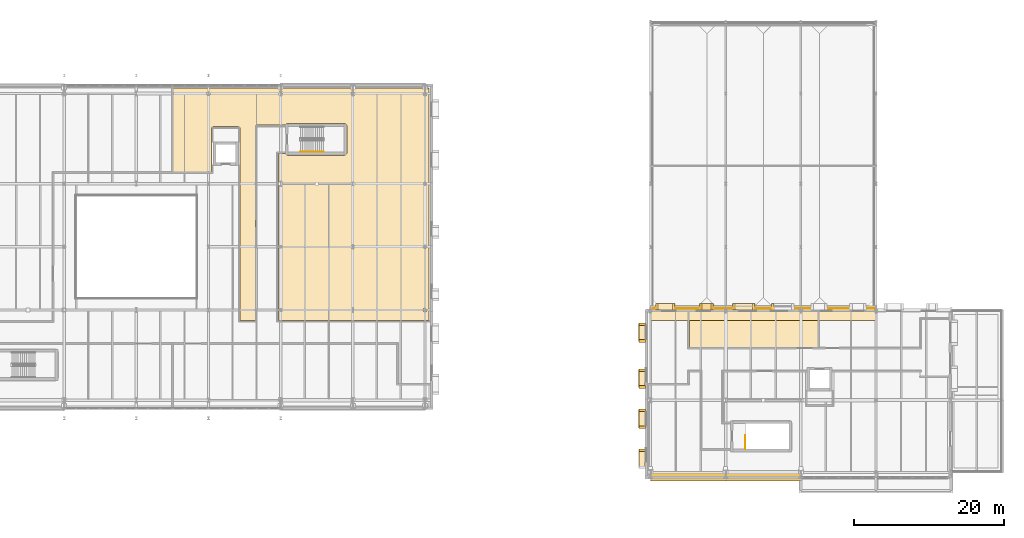
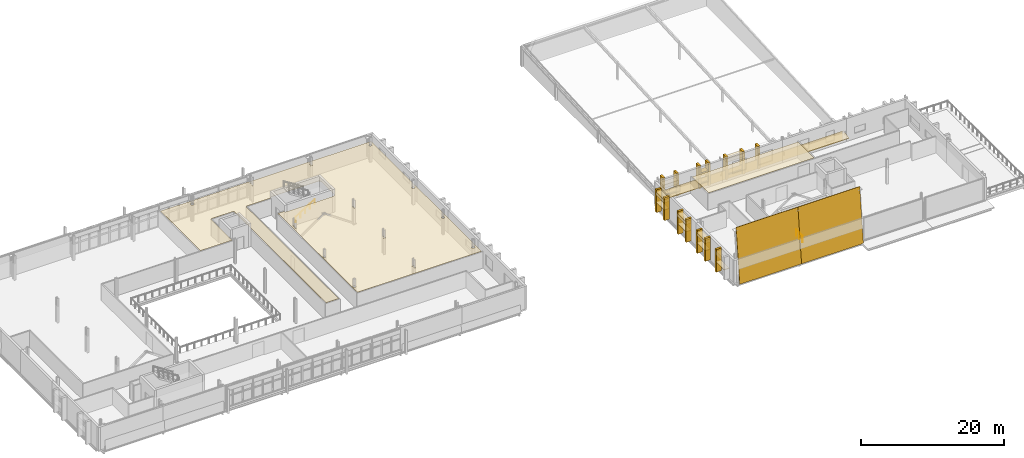
# One storey, part 54 of 57: 33 coverings, 3 railings.
"""IFC4 building model written with IfcOpenShell, lengths in metres."""

from ifc_helpers import new_model, si_unit, direction, frame, origin, origin_2d, place, context, subcontext, project, spatial, polyline, rectangle, circle, outline, extrude, material, layer, layer_set, type_object, element, save


model = new_model("IFC4")

# Units and contexts
model_context = context("Model", 3, precision=1e-05, world=origin(), true_north=direction((0.0, 1.0)))
body_context = subcontext(model_context, "Body", "Model", "MODEL_VIEW")
ifc_project = project(units=[si_unit("LENGTHUNIT", "METRE"), si_unit("AREAUNIT", "SQUARE_METRE"), si_unit("VOLUMEUNIT", "CUBIC_METRE"), si_unit("PLANEANGLEUNIT", "RADIAN"), si_unit("MASSUNIT", "GRAM", prefix="KILO")], contexts=[model_context])

# Site, building, storey
site_placement = place(None, origin())
site = spatial("IfcSite", under=ifc_project, at=site_placement, CompositionType="ELEMENT")
building_placement = place(site_placement, origin())
building = spatial("IfcBuilding", under=site, at=building_placement, Name="Zereglee Splitstone Museum", CompositionType="ELEMENT")
storey_placement = place(building_placement, frame((0.0, 0.0, 17.10009765625)))
storey = spatial("IfcBuildingStorey", under=building, at=storey_placement, Name="L03", CompositionType="ELEMENT", Elevation=17.10009765625)

# Coverings
ifc_material_1 = material(Name="Perforated acoustic gypsum board ceiling", Category="masonry")
ifc_layer_1 = layer(ifc_material_1, 0.044921875)
ifc_layer_set_1 = layer_set([ifc_layer_1], Name="Perforated acoustic gypsum board ceiling")
covering_type_1 = type_object("IfcCoveringType", Name="CLG-02", PredefinedType="CEILING", material=ifc_layer_set_1)
covering_1_placement = place(storey_placement, frame((0.0, 0.0, 2.77490234375)))
element("IfcCovering", 1, at=covering_1_placement, inside=storey, type_object=covering_type_1, Name="Acoustic Ceiling L03-050", PredefinedType="CEILING", context=body_context, shape_type="SweptSolid", body=[
    extrude(outline(polyline([(122.799072265625, 46.179931640625), (122.783203125, 46.17919921875), (122.781494140625, 46.178955078125), (122.765869140625, 46.1767578125), (122.763916015625, 46.17626953125), (122.748779296875, 46.172607421875), (122.746826171875, 46.171875), (122.73193359375, 46.166748046875), (122.730224609375, 46.166015625), (122.716064453125, 46.1591796875), (122.71435546875, 46.158203125), (122.70068359375, 46.150146484375), (122.69921875, 46.149169921875), (122.6865234375, 46.1396484375), (122.68505859375, 46.138427734375), (122.67333984375, 46.1279296875), (122.672119140625, 46.126708984375), (122.66162109375, 46.114990234375), (122.660400390625, 46.11328125), (122.65087890625, 46.100830078125), (122.64990234375, 46.09912109375), (122.6416015625, 46.085693359375), (122.640869140625, 46.083984375), (122.634033203125, 46.06982421875), (122.63330078125, 46.068115234375), (122.628173828125, 46.05322265625), (122.62744140625, 46.05126953125), (122.623779296875, 46.0361328125), (122.623291015625, 46.0341796875), (122.62109375, 46.0185546875), (122.620849609375, 46.0166015625), (122.6201171875, 46.0009765625), (122.6201171875, 46.0), (122.6201171875, 20.179931640625), (120.580078125, 20.179931640625), (120.580078125, 45.800048828125), (120.580078125, 45.801025390625), (120.5791015625, 45.816650390625), (120.5791015625, 45.818603515625), (120.57666015625, 45.833984375), (120.576416015625, 45.836181640625), (120.572509765625, 45.851318359375), (120.572021484375, 45.853271484375), (120.566650390625, 45.867919921875), (120.56591796875, 45.869873046875), (120.55908203125, 45.884033203125), (120.558349609375, 45.8857421875), (120.55029296875, 45.899169921875), (120.549072265625, 45.90087890625), (120.539794921875, 45.913330078125), (120.53857421875, 45.914794921875), (120.528076171875, 45.926513671875), (120.526611328125, 45.927978515625), (120.514892578125, 45.9384765625), (120.513427734375, 45.939697265625), (120.500732421875, 45.94921875), (120.499267578125, 45.9501953125), (120.485595703125, 45.958251953125), (120.48388671875, 45.959228515625), (120.4697265625, 45.9658203125), (120.468017578125, 45.966796875), (120.453125, 45.971923828125), (120.451416015625, 45.972412109375), (120.43603515625, 45.976318359375), (120.43408203125, 45.976806640625), (120.418701171875, 45.97900390625), (120.416748046875, 45.979248046875), (120.40087890625, 45.97998046875), (120.39990234375, 45.97998046875), (117.0, 45.97998046875), (116.9990234375, 45.97998046875), (116.9833984375, 45.979248046875), (116.9814453125, 45.97900390625), (116.9658203125, 45.976806640625), (116.9638671875, 45.976318359375), (116.94873046875, 45.972412109375), (116.94677734375, 45.971923828125), (116.931884765625, 45.966796875), (116.93017578125, 45.9658203125), (116.916015625, 45.959228515625), (116.914306640625, 45.958251953125), (116.90087890625, 45.9501953125), (116.899169921875, 45.94921875), (116.88671875, 45.939697265625), (116.885009765625, 45.9384765625), (116.873291015625, 45.927978515625), (116.8720703125, 45.926513671875), (116.861572265625, 45.914794921875), (116.8603515625, 45.913330078125), (116.850830078125, 45.90087890625), (116.849853515625, 45.899169921875), (116.841796875, 45.8857421875), (116.8408203125, 45.884033203125), (116.833984375, 45.869873046875), (116.833251953125, 45.867919921875), (116.828125, 45.853271484375), (116.827392578125, 45.851318359375), (116.82373046875, 45.836181640625), (116.8232421875, 45.833984375), (116.821044921875, 45.818603515625), (116.82080078125, 45.816650390625), (116.820068359375, 45.801025390625), (116.820068359375, 45.800048828125), (116.820068359375, 39.97998046875), (111.699951171875, 39.97998046875), (111.699951171875, 51.139892578125), (145.739990234375, 51.139892578125), (145.739990234375, 20.179931640625), (125.679931640625, 20.179931640625), (125.679931640625, 42.419921875), (126.62109375, 42.419921875), (126.629638671875, 42.402099609375), (126.65087890625, 42.36669921875), (126.67529296875, 42.33349609375), (126.702880859375, 42.302978515625), (126.733642578125, 42.275390625), (126.7666015625, 42.250732421875), (126.802001953125, 42.2294921875), (126.83935546875, 42.2119140625), (126.878173828125, 42.197998046875), (126.918212890625, 42.18798828125), (126.958740234375, 42.181884765625), (127.0, 42.179931640625), (134.39990234375, 42.179931640625), (134.441162109375, 42.181884765625), (134.48193359375, 42.18798828125), (134.52197265625, 42.197998046875), (134.560791015625, 42.2119140625), (134.597900390625, 42.2294921875), (134.63330078125, 42.250732421875), (134.66650390625, 42.275390625), (134.697021484375, 42.302978515625), (134.724609375, 42.33349609375), (134.749267578125, 42.36669921875), (134.7705078125, 42.402099609375), (134.7880859375, 42.439208984375), (134.802001953125, 42.47802734375), (134.81201171875, 42.51806640625), (134.818115234375, 42.558837890625), (134.820068359375, 42.60009765625), (134.820068359375, 46.0), (134.818115234375, 46.041259765625), (134.81201171875, 46.081787109375), (134.802001953125, 46.121826171875), (134.7880859375, 46.16064453125), (134.7705078125, 46.197998046875), (134.749267578125, 46.2333984375), (134.724609375, 46.266357421875), (134.697021484375, 46.297119140625), (134.66650390625, 46.32470703125), (134.63330078125, 46.34912109375), (134.597900390625, 46.370361328125), (134.560791015625, 46.387939453125), (134.52197265625, 46.40185546875), (134.48193359375, 46.411865234375), (134.441162109375, 46.41796875), (134.39990234375, 46.419921875), (127.0, 46.419921875), (126.958740234375, 46.41796875), (126.918212890625, 46.411865234375), (126.878173828125, 46.40185546875), (126.83935546875, 46.387939453125), (126.802001953125, 46.370361328125), (126.7666015625, 46.34912109375), (126.733642578125, 46.32470703125), (126.702880859375, 46.297119140625), (126.67529296875, 46.266357421875), (126.65087890625, 46.2333984375), (126.629638671875, 46.197998046875), (126.62109375, 46.179931640625), (122.800048828125, 46.179931640625), (122.799072265625, 46.179931640625)]), holes=[polyline([(135.758056640625, 21.883056640625), (135.44189453125, 21.883056640625), (135.44189453125, 21.837890625), (135.58447265625, 21.837890625), (135.58447265625, 21.362060546875), (135.44189453125, 21.362060546875), (135.44189453125, 21.31689453125), (135.758056640625, 21.31689453125), (135.758056640625, 21.362060546875), (135.615478515625, 21.362060546875), (135.615478515625, 21.837890625), (135.758056640625, 21.837890625), (135.758056640625, 21.883056640625)]), polyline([(125.81689453125, 21.782958984375), (125.81689453125, 21.4169921875), (126.18310546875, 21.4169921875), (126.18310546875, 21.782958984375), (125.81689453125, 21.782958984375)]), polyline([(145.331298828125, 21.4033203125), (145.3671875, 21.432861328125), (145.396484375, 21.468505859375), (145.41845703125, 21.509521484375), (145.431884765625, 21.553955078125), (145.4365234375, 21.60009765625), (145.431884765625, 21.64599609375), (145.41845703125, 21.6904296875), (145.396484375, 21.7314453125), (145.3671875, 21.76708984375), (145.331298828125, 21.796630859375), (145.29052734375, 21.818603515625), (145.24609375, 21.83203125), (145.199951171875, 21.83642578125), (145.15380859375, 21.83203125), (145.109619140625, 21.818603515625), (145.068603515625, 21.796630859375), (145.03271484375, 21.76708984375), (145.00341796875, 21.7314453125), (144.9814453125, 21.6904296875), (144.968017578125, 21.64599609375), (144.96337890625, 21.60009765625), (144.968017578125, 21.553955078125), (144.9814453125, 21.509521484375), (145.00341796875, 21.468505859375), (145.03271484375, 21.432861328125), (145.068603515625, 21.4033203125), (145.109619140625, 21.381591796875), (145.15380859375, 21.367919921875), (145.199951171875, 21.363525390625), (145.24609375, 21.367919921875), (145.29052734375, 21.381591796875), (145.331298828125, 21.4033203125)]), polyline([(145.28076171875, 29.804931640625), (145.3173828125, 29.824462890625), (145.349365234375, 29.8505859375), (145.37548828125, 29.8828125), (145.39501953125, 29.919189453125), (145.406982421875, 29.958740234375), (145.4111328125, 30.0), (145.406982421875, 30.041259765625), (145.39501953125, 30.080810546875), (145.37548828125, 30.1171875), (145.349365234375, 30.1494140625), (145.3173828125, 30.175537109375), (145.28076171875, 30.195068359375), (145.2412109375, 30.20703125), (145.199951171875, 30.211181640625), (145.15869140625, 30.20703125), (145.119140625, 30.195068359375), (145.082763671875, 30.175537109375), (145.05078125, 30.1494140625), (145.0244140625, 30.1171875), (145.0048828125, 30.080810546875), (144.992919921875, 30.041259765625), (144.98876953125, 30.0), (144.992919921875, 29.958740234375), (145.0048828125, 29.919189453125), (145.0244140625, 29.8828125), (145.05078125, 29.8505859375), (145.082763671875, 29.824462890625), (145.119140625, 29.804931640625), (145.15869140625, 29.79296875), (145.199951171875, 29.788818359375), (145.2412109375, 29.79296875), (145.28076171875, 29.804931640625)]), polyline([(135.758056640625, 30.258056640625), (135.44189453125, 30.258056640625), (135.44189453125, 30.214111328125), (135.584716796875, 30.214111328125), (135.584716796875, 29.785888671875), (135.44189453125, 29.785888671875), (135.44189453125, 29.741943359375), (135.758056640625, 29.741943359375), (135.758056640625, 29.785888671875), (135.615234375, 29.785888671875), (135.615234375, 30.214111328125), (135.758056640625, 30.214111328125), (135.758056640625, 30.258056640625)]), polyline([(125.842041015625, 29.842041015625), (126.157958984375, 29.842041015625), (126.157958984375, 30.157958984375), (125.842041015625, 30.157958984375), (125.842041015625, 29.842041015625)]), polyline([(145.01708984375, 38.5830078125), (145.01708984375, 38.217041015625), (145.383056640625, 38.217041015625), (145.383056640625, 38.5830078125), (145.01708984375, 38.5830078125)]), polyline([(135.44189453125, 38.633056640625), (135.44189453125, 38.591064453125), (135.5849609375, 38.591064453125), (135.5849609375, 38.208984375), (135.44189453125, 38.208984375), (135.44189453125, 38.1669921875), (135.758056640625, 38.1669921875), (135.758056640625, 38.208984375), (135.614990234375, 38.208984375), (135.614990234375, 38.591064453125), (135.758056640625, 38.591064453125), (135.758056640625, 38.633056640625), (135.44189453125, 38.633056640625)]), polyline([(126.157958984375, 38.758056640625), (125.842041015625, 38.758056640625), (125.842041015625, 38.7099609375), (125.9833984375, 38.7099609375), (125.9833984375, 38.090087890625), (125.842041015625, 38.090087890625), (125.842041015625, 38.0419921875), (126.157958984375, 38.0419921875), (126.157958984375, 38.090087890625), (126.0166015625, 38.090087890625), (126.0166015625, 38.7099609375), (126.157958984375, 38.7099609375), (126.157958984375, 38.758056640625)]), polyline([(126.157958984375, 50.73291015625), (125.842041015625, 50.73291015625), (125.842041015625, 50.68603515625), (125.98388671875, 50.68603515625), (125.98388671875, 50.114013671875), (125.842041015625, 50.114013671875), (125.842041015625, 50.06689453125), (126.157958984375, 50.06689453125), (126.157958984375, 50.114013671875), (126.01611328125, 50.114013671875), (126.01611328125, 50.68603515625), (126.157958984375, 50.68603515625), (126.157958984375, 50.73291015625)]), polyline([(135.758056640625, 50.60791015625), (135.44189453125, 50.60791015625), (135.44189453125, 50.568115234375), (135.585205078125, 50.568115234375), (135.585205078125, 50.23193359375), (135.44189453125, 50.23193359375), (135.44189453125, 50.19189453125), (135.758056640625, 50.19189453125), (135.758056640625, 50.23193359375), (135.61474609375, 50.23193359375), (135.61474609375, 50.568115234375), (135.758056640625, 50.568115234375), (135.758056640625, 50.60791015625)]), polyline([(116.531494140625, 50.203369140625), (116.567138671875, 50.23291015625), (116.5966796875, 50.2685546875), (116.618408203125, 50.3095703125), (116.632080078125, 50.35400390625), (116.636474609375, 50.39990234375), (116.632080078125, 50.446044921875), (116.618408203125, 50.490478515625), (116.5966796875, 50.531494140625), (116.567138671875, 50.567138671875), (116.531494140625, 50.5966796875), (116.490478515625, 50.618408203125), (116.446044921875, 50.632080078125), (116.39990234375, 50.636474609375), (116.35400390625, 50.632080078125), (116.3095703125, 50.618408203125), (116.2685546875, 50.5966796875), (116.23291015625, 50.567138671875), (116.203369140625, 50.531494140625), (116.181396484375, 50.490478515625), (116.16796875, 50.446044921875), (116.16357421875, 50.39990234375), (116.16796875, 50.35400390625), (116.181396484375, 50.3095703125), (116.203369140625, 50.2685546875), (116.23291015625, 50.23291015625), (116.2685546875, 50.203369140625), (116.3095703125, 50.181396484375), (116.35400390625, 50.16796875), (116.39990234375, 50.16357421875), (116.446044921875, 50.16796875), (116.490478515625, 50.181396484375), (116.531494140625, 50.203369140625)]), polyline([(145.0419921875, 50.241943359375), (145.35791015625, 50.241943359375), (145.35791015625, 50.55810546875), (145.0419921875, 50.55810546875), (145.0419921875, 50.241943359375)])]), origin(), (0.0, 0.0, 1.0), 0.044921875),
])
ifc_material_2 = material(Name="Siberian larch acoustic timber ceiling", Category="wood")
ifc_layer_2 = layer(ifc_material_2, 0.06005859375)
ifc_layer_set_2 = layer_set([ifc_layer_2], Name="Siberian larch acoustic timber ceiling")
covering_type_2 = type_object("IfcCoveringType", Name="CLG-01", PredefinedType="CEILING", material=ifc_layer_set_2)
covering_2_placement = place(storey_placement, frame((0.0, 0.0, 2.760009765625)))
element("IfcCovering", 2, at=covering_2_placement, inside=storey, type_object=covering_type_2, Name="Acoustic Ceiling L03-052", PredefinedType="CEILING", context=body_context, shape_type="SweptSolid", body=[
    extrude(outline(polyline([(180.3798828125, 21.139892578125), (197.4599609375, 21.139892578125), (197.4599609375, 16.6298828125), (180.3798828125, 16.6298828125), (180.3798828125, 21.139892578125)])), origin(), (0.0, 0.0, 1.0), 0.059814453125),
])
ifc_material_3 = material(Name="Honed Gobi pale limestone stringcourse and soffit cladding", Category="masonry")
ifc_layer_3 = layer(ifc_material_3, 0.070068359375)
ifc_layer_set_3 = layer_set([ifc_layer_3], Name="Honed Gobi pale limestone stringcourse and soffit cladding")
covering_type_3 = type_object("IfcCoveringType", Name="CL-02", PredefinedType="CLADDING", material=ifc_layer_set_3)
for number, where, z_axis, x_axis, name in (
    (3, (191.445068359375, 22.02490234375, 0.0), (0.0, 0.0, 1.0), (-1.0, 0.0, 0.0), "Mughal Window Reveal Stone Pilaster L03-0111R"),
    (4, (188.955078125, 22.02490234375, 0.0), (0.0, 0.0, 1.0), (-1.0, 0.0, 0.0), "Mughal Window Reveal Stone Pilaster L03-0112L"),
    (5, (186.264892578125, 22.02490234375, 0.0), (0.0, 0.0, 1.0), (-1.0, 0.0, 0.0), "Mughal Window Reveal Stone Pilaster L03-0112R"),
):
    element("IfcCovering", number, at=place(storey_placement, frame(where, z_axis=z_axis, x_axis=x_axis)), inside=storey, type_object=covering_type_3, Name=name, PredefinedType="CLADDING", context=body_context, shape_type="SweptSolid", body=[
        extrude(rectangle(XDim=0.340087890625, YDim=0.860107421875, at=origin_2d()), origin(), (0.0, 0.0, 1.0), 3.89990234375),
    ])
covering_3_placement = place(storey_placement, frame((187.610107421875, 22.034912109375, 0.759765625), z_axis=(0.0, 0.0, 1.0), x_axis=(-1.0, 0.0, 0.0)))
element("IfcCovering", 6, at=covering_3_placement, inside=storey, type_object=covering_type_3, Name="Carved Limestone Window Sill L03-0112", PredefinedType="CLADDING", context=body_context, shape_type="SweptSolid", body=[
    extrude(rectangle(XDim=2.889892578125, YDim=0.840087890625, at=origin_2d()), origin(), (0.0, 0.0, 1.0), 0.1201171875),
])
for number, where, z_axis, x_axis, name in (
    (7, (183.389892578125, 22.02490234375, 0.0), (0.0, 0.0, 1.0), (-1.0, 0.0, 0.0), "Mughal Window Reveal Stone Pilaster L03-0113L"),
    (8, (181.89990234375, 22.02490234375, 0.0), (0.0, 0.0, 1.0), (-1.0, 0.0, 0.0), "Mughal Window Reveal Stone Pilaster L03-0113R"),
):
    element("IfcCovering", number, at=place(storey_placement, frame(where, z_axis=z_axis, x_axis=x_axis)), inside=storey, type_object=covering_type_3, Name=name, PredefinedType="CLADDING", context=body_context, shape_type="SweptSolid", body=[
        extrude(rectangle(XDim=0.340087890625, YDim=0.860107421875, at=origin_2d()), origin(), (0.0, 0.0, 1.0), 3.89990234375),
    ])
covering_4_placement = place(storey_placement, frame((182.64501953125, 22.034912109375, 0.759765625), z_axis=(0.0, 0.0, 1.0), x_axis=(-1.0, 0.0, 0.0)))
element("IfcCovering", 9, at=covering_4_placement, inside=storey, type_object=covering_type_3, Name="Carved Limestone Window Sill L03-0113", PredefinedType="CLADDING", context=body_context, shape_type="SweptSolid", body=[
    extrude(rectangle(XDim=1.68994140625, YDim=0.840087890625, at=origin_2d()), origin(), (0.0, 0.0, 1.0), 0.1201171875),
])
for number, where, z_axis, x_axis, name in (
    (10, (178.294921875, 22.02490234375, 0.0), (0.0, 0.0, 1.0), (-1.0, 0.0, 0.0), "Mughal Window Reveal Stone Pilaster L03-0114L"),
    (11, (176.054931640625, 22.02490234375, 0.0), (0.0, 0.0, 1.0), (-1.0, 0.0, 0.0), "Mughal Window Reveal Stone Pilaster L03-0114R"),
):
    element("IfcCovering", number, at=place(storey_placement, frame(where, z_axis=z_axis, x_axis=x_axis)), inside=storey, type_object=covering_type_3, Name=name, PredefinedType="CLADDING", context=body_context, shape_type="SweptSolid", body=[
        extrude(rectangle(XDim=0.340087890625, YDim=0.860107421875, at=origin_2d()), origin(), (0.0, 0.0, 1.0), 3.89990234375),
    ])
covering_5_placement = place(storey_placement, frame((177.175048828125, 22.034912109375, 0.759765625), z_axis=(0.0, 0.0, 1.0), x_axis=(-1.0, 0.0, 0.0)))
element("IfcCovering", 12, at=covering_5_placement, inside=storey, type_object=covering_type_3, Name="Carved Limestone Window Sill L03-0114", PredefinedType="CLADDING", context=body_context, shape_type="SweptSolid", body=[
    extrude(rectangle(XDim=2.43994140625, YDim=0.840087890625, at=origin_2d()), origin(), (0.0, 0.0, 1.0), 0.1201171875),
])
for number, where, z_axis, x_axis, name in (
    (13, (174.074951171875, 19.719970703125, 0.0), (0.0, 0.0, 1.0), (0.0, -1.0, 0.0), "Mughal Window Reveal Stone Pilaster L03-0115L"),
    (14, (174.074951171875, 17.47998046875, 0.0), (0.0, 0.0, 1.0), (0.0, -1.0, 0.0), "Mughal Window Reveal Stone Pilaster L03-0115R"),
):
    element("IfcCovering", number, at=place(storey_placement, frame(where, z_axis=z_axis, x_axis=x_axis)), inside=storey, type_object=covering_type_3, Name=name, PredefinedType="CLADDING", context=body_context, shape_type="SweptSolid", body=[
        extrude(rectangle(XDim=0.340087890625, YDim=0.860107421875, at=origin_2d()), origin(), (0.0, 0.0, 1.0), 3.89990234375),
    ])
covering_6_placement = place(storey_placement, frame((174.06494140625, 18.60009765625, 1.659912109375), z_axis=(0.0, 0.0, 1.0), x_axis=(0.0, -1.0, 0.0)))
element("IfcCovering", 15, at=covering_6_placement, inside=storey, type_object=covering_type_3, Name="Carved Limestone Window Sill L03-0115", PredefinedType="CLADDING", context=body_context, shape_type="SweptSolid", body=[
    extrude(rectangle(XDim=2.43994140625, YDim=0.840087890625, at=origin_2d()), origin(), (0.0, 0.0, 1.0), 0.1201171875),
])
for number, where, z_axis, x_axis, name in (
    (16, (174.074951171875, 13.60009765625, 0.0), (0.0, 0.0, 1.0), (0.0, -1.0, 0.0), "Mughal Window Reveal Stone Pilaster L03-0116L"),
    (17, (174.074951171875, 11.360107421875, 0.0), (0.0, 0.0, 1.0), (0.0, -1.0, 0.0), "Mughal Window Reveal Stone Pilaster L03-0116R"),
):
    element("IfcCovering", number, at=place(storey_placement, frame(where, z_axis=z_axis, x_axis=x_axis)), inside=storey, type_object=covering_type_3, Name=name, PredefinedType="CLADDING", context=body_context, shape_type="SweptSolid", body=[
        extrude(rectangle(XDim=0.340087890625, YDim=0.860107421875, at=origin_2d()), origin(), (0.0, 0.0, 1.0), 3.89990234375),
    ])
covering_7_placement = place(storey_placement, frame((174.06494140625, 12.47998046875, 1.659912109375), z_axis=(0.0, 0.0, 1.0), x_axis=(0.0, -1.0, 0.0)))
element("IfcCovering", 18, at=covering_7_placement, inside=storey, type_object=covering_type_3, Name="Carved Limestone Window Sill L03-0116", PredefinedType="CLADDING", context=body_context, shape_type="SweptSolid", body=[
    extrude(rectangle(XDim=2.43994140625, YDim=0.840087890625, at=origin_2d()), origin(), (0.0, 0.0, 1.0), 0.1201171875),
])
for number, where, z_axis, x_axis, name in (
    (19, (174.074951171875, 8.239990234375, 0.0), (0.0, 0.0, 1.0), (0.0, -1.0, 0.0), "Mughal Window Reveal Stone Pilaster L03-0117L"),
    (20, (174.074951171875, 6.0, 0.0), (0.0, 0.0, 1.0), (0.0, -1.0, 0.0), "Mughal Window Reveal Stone Pilaster L03-0117R"),
):
    element("IfcCovering", number, at=place(storey_placement, frame(where, z_axis=z_axis, x_axis=x_axis)), inside=storey, type_object=covering_type_3, Name=name, PredefinedType="CLADDING", context=body_context, shape_type="SweptSolid", body=[
        extrude(rectangle(XDim=0.340087890625, YDim=0.860107421875, at=origin_2d()), origin(), (0.0, 0.0, 1.0), 3.89990234375),
    ])
covering_8_placement = place(storey_placement, frame((174.06494140625, 7.1201171875, 1.659912109375), z_axis=(0.0, 0.0, 1.0), x_axis=(0.0, -1.0, 0.0)))
element("IfcCovering", 21, at=covering_8_placement, inside=storey, type_object=covering_type_3, Name="Carved Limestone Window Sill L03-0117", PredefinedType="CLADDING", context=body_context, shape_type="SweptSolid", body=[
    extrude(rectangle(XDim=2.43994140625, YDim=0.840087890625, at=origin_2d()), origin(), (0.0, 0.0, 1.0), 0.1201171875),
])
covering_9_placement = place(storey_placement, frame((174.074951171875, 2.919921875, 0.0), z_axis=(0.0, 0.0, 1.0), x_axis=(0.0, -1.0, 0.0)))
element("IfcCovering", 22, at=covering_9_placement, inside=storey, type_object=covering_type_3, Name="Mughal Window Reveal Stone Pilaster L03-0118L", PredefinedType="CLADDING", context=body_context, shape_type="SweptSolid", body=[
    extrude(rectangle(XDim=0.340087890625, YDim=0.860107421875, at=origin_2d()), origin(), (0.0, 0.0, 1.0), 3.89990234375),
])
covering_10_placement = place(storey_placement, frame((174.06494140625, 1.800048828125, 1.659912109375), z_axis=(0.0, 0.0, 1.0), x_axis=(0.0, -1.0, 0.0)))
element("IfcCovering", 23, at=covering_10_placement, inside=storey, type_object=covering_type_3, Name="Carved Limestone Window Sill L03-0118", PredefinedType="CLADDING", context=body_context, shape_type="SweptSolid", body=[
    extrude(rectangle(XDim=2.43994140625, YDim=0.840087890625, at=origin_2d()), origin(), (0.0, 0.0, 1.0), 0.1201171875),
])
ifc_material_4 = material(Name="Honed Khoroo red sandstone ventilated rainscreen", Category="masonry")
ifc_layer_4 = layer(ifc_material_4, 0.080078125)
ifc_layer_set_4 = layer_set([ifc_layer_4], Name="Honed Khoroo red sandstone ventilated rainscreen")
covering_type_4 = type_object("IfcCoveringType", Name="CL-01", PredefinedType="CLADDING", material=ifc_layer_set_4)
covering_11_placement = place(storey_placement, frame((187.610107421875, 22.034912109375, 2.9599609375), z_axis=(0.0, 0.0, 1.0), x_axis=(-1.0, 0.0, 0.0)))
element("IfcCovering", 24, at=covering_11_placement, inside=storey, type_object=covering_type_4, Name="Pointed-Arch Mughal Window Hood L03-0112", PredefinedType="CLADDING", context=body_context, shape_type="SweptSolid", body=[
    extrude(rectangle(XDim=2.889892578125, YDim=0.860107421875, at=origin_2d()), origin(), (0.0, 0.0, 1.0), 0.580078125),
])
covering_12_placement = place(storey_placement, frame((182.64501953125, 22.034912109375, 2.059814453125), z_axis=(0.0, 0.0, 1.0), x_axis=(-1.0, 0.0, 0.0)))
element("IfcCovering", 25, at=covering_12_placement, inside=storey, type_object=covering_type_4, Name="Pointed-Arch Mughal Window Hood L03-0113", PredefinedType="CLADDING", context=body_context, shape_type="SweptSolid", body=[
    extrude(rectangle(XDim=1.68994140625, YDim=0.860107421875, at=origin_2d()), origin(), (0.0, 0.0, 1.0), 0.580078125),
])
for number, where, z_axis, x_axis, name in (
    (26, (177.175048828125, 22.034912109375, 2.059814453125), (0.0, 0.0, 1.0), (-1.0, 0.0, 0.0), "Pointed-Arch Mughal Window Hood L03-0114"),
    (27, (174.06494140625, 18.60009765625, 2.9599609375), (0.0, 0.0, 1.0), (0.0, -1.0, 0.0), "Pointed-Arch Mughal Window Hood L03-0115"),
    (28, (174.06494140625, 12.47998046875, 2.9599609375), (0.0, 0.0, 1.0), (0.0, -1.0, 0.0), "Pointed-Arch Mughal Window Hood L03-0116"),
    (29, (174.06494140625, 7.1201171875, 2.9599609375), (0.0, 0.0, 1.0), (0.0, -1.0, 0.0), "Pointed-Arch Mughal Window Hood L03-0117"),
):
    element("IfcCovering", number, at=place(storey_placement, frame(where, z_axis=z_axis, x_axis=x_axis)), inside=storey, type_object=covering_type_4, Name=name, PredefinedType="CLADDING", context=body_context, shape_type="SweptSolid", body=[
        extrude(rectangle(XDim=2.43994140625, YDim=0.860107421875, at=origin_2d()), origin(), (0.0, 0.0, 1.0), 0.580078125),
    ])
for number, where, z_axis, x_axis, name in (
    (30, (175.199951171875, -1.120361328125, -0.25), (0.0, -0.993711196848, 0.111973466766), (1.0, 0.0, 0.0), "Split-Rock Continuous Inclined Facet FH-V3S L03.1"),
    (31, (185.199951171875, -1.120361328125, -0.25), (0.0, -0.993711196848, 0.111973466766), (1.0, 0.0, 0.0), "Split-Rock Continuous Inclined Facet FH-V3S L03.2"),
):
    element("IfcCovering", number, at=place(storey_placement, frame(where, z_axis=z_axis, x_axis=x_axis)), inside=storey, type_object=covering_type_4, Name=name, PredefinedType="CLADDING", context=body_context, shape_type="SweptSolid", body=[
        extrude(outline(polyline([(0.0, 0.0), (10.0, 0.0), (10.0, 9.157442871220685), (0.0, 9.157442871220685), (0.0, 0.0)])), origin(), (0.0, 0.0, -1.0), 0.080078125),
    ])
covering_13_placement = place(storey_placement, frame((175.35009765625, 21.75, 0.0), z_axis=(0.0, -1.0, 0.0), x_axis=(1.0, 0.0, 0.0)))
element("IfcCovering", 32, at=covering_13_placement, inside=storey, type_object=covering_type_4, Name="Raked Attic Split-Rock Cladding RF-V4 S", PredefinedType="CLADDING", context=body_context, shape_type="SweptSolid", body=[
    extrude(outline(polyline([(0.0, 0.0), (29.699951171875, 0.0), (29.699951171875, 1.58349609375), (0.0, 1.58349609375), (0.0, 0.0)])), origin(), (0.0, 0.0, -1.0), 0.1201171875),
])

# Railings
ifc_material_5 = material(Name="Painted steel S355J2 post-and-baluster guard", Category="steel")
railing_type_1 = type_object("IfcRailingType", Name="GR-03", PredefinedType="BALUSTRADE", material=ifc_material_5)
railing_1_placement = place(storey_placement, frame((187.800048828125, 3.10009765625, 0.0)))
element("IfcRailing", 33, at=railing_1_placement, inside=storey, type_object=railing_type_1, Name="L03 ST-04 top well guard 1", PredefinedType="BALUSTRADE", context=body_context, shape_type="SweptSolid", body=[
    extrude(circle(Radius=0.02392578125, at=origin_2d()), frame((0.0, 0.0, 1.076416015625), z_axis=(0.0, 1.0, 0.0), x_axis=(-1.0, 0.0, 0.0)), (0.0, 0.0, 1.0), 1.7998046875),
    extrude(circle(Radius=0.02099609375, at=origin_2d()), origin(), (0.0, 0.0, 1.0), 1.052001953125),
    extrude(circle(Radius=0.02099609375, at=origin_2d()), frame((0.0, 0.89990234375, 0.0)), (0.0, 0.0, 1.0), 1.052001953125),
    extrude(circle(Radius=0.02099609375, at=origin_2d()), frame((0.0, 1.7998046875, 0.0)), (0.0, 0.0, 1.0), 1.052001953125),
])
railing_2_placement = place(storey_placement, frame((187.81005859375, 3.1201171875, 0.0)))
element("IfcRailing", 34, at=railing_2_placement, inside=storey, type_object=railing_type_1, Name="Stair Top-Floor Well Guard ST-04", PredefinedType="BALUSTRADE", context=body_context, shape_type="SweptSolid", body=[
    extrude(circle(Radius=0.02392578125, at=origin_2d()), frame((0.0, 0.0, 1.076416015625), z_axis=(0.0, 1.0, 0.0), x_axis=(-1.0, 0.0, 0.0)), (0.0, 0.0, 1.0), 1.77978515625),
    extrude(circle(Radius=0.02099609375, at=origin_2d()), origin(), (0.0, 0.0, 1.0), 1.052001953125),
    extrude(circle(Radius=0.02099609375, at=origin_2d()), frame((0.0, 0.889892578125, 0.0)), (0.0, 0.0, 1.0), 1.052001953125),
    extrude(circle(Radius=0.02099609375, at=origin_2d()), frame((0.0, 1.77978515625, 0.0)), (0.0, 0.0, 1.0), 1.052001953125),
])
ifc_material_6 = material(Name="Architectural bronze tubular handrail", Category="steel")
railing_type_2 = type_object("IfcRailingType", Name="HR-01", PredefinedType="HANDRAIL", material=ifc_material_6)
railing_3_placement = place(storey_placement, frame((128.64990234375, 42.64990234375, 0.1748046875)))
element("IfcRailing", 35, at=railing_3_placement, inside=storey, type_object=railing_type_2, Name="L03 ST-03 stair handrail 1", PredefinedType="HANDRAIL", context=body_context, shape_type="SweptSolid", body=[
    extrude(circle(Radius=0.02392578125, at=origin_2d()), frame((0.0, 0.0, 0.8759765625), z_axis=(0.847998304005, 0.0, 0.529998940003), x_axis=(0.0, 1.0, 0.0)), (0.0, 0.0, 1.0), 3.632080078125),
    extrude(circle(Radius=0.02099609375, at=origin_2d()), origin(), (0.0, 0.0, 1.0), 0.851806640625),
    extrude(circle(Radius=0.02099609375, at=origin_2d()), frame((0.77001953125, 0.0, 0.481201171875)), (0.0, 0.0, 1.0), 0.851806640625),
    extrude(circle(Radius=0.02099609375, at=origin_2d()), frame((1.5400390625, 0.0, 0.96240234375)), (0.0, 0.0, 1.0), 0.851806640625),
    extrude(circle(Radius=0.02099609375, at=origin_2d()), frame((2.31005859375, 0.0, 1.44384765625)), (0.0, 0.0, 1.0), 0.851806640625),
    extrude(circle(Radius=0.02099609375, at=origin_2d()), frame((3.080078125, 0.0, 1.925048828125)), (0.0, 0.0, 1.0), 0.851806640625),
])

# Covering
ifc_material_7 = material(Name="Honed Khoroo red sandstone chhajja eave coping", Category="masonry")
ifc_layer_5 = layer(ifc_material_7, 0.110107421875)
ifc_layer_set_5 = layer_set([ifc_layer_5], Name="Honed Khoroo red sandstone chhajja eave coping")
covering_type_5 = type_object("IfcCoveringType", Name="RF-C2", PredefinedType="ROOFING", material=ifc_layer_set_5)
covering_14_placement = place(storey_placement, frame((175.199951171875, 20.199951171875, 1.349853515625), z_axis=(0.0, -0.202223039102, 0.979339492952), x_axis=(1.0, 0.0, 0.0)))
element("IfcCovering", 36, at=covering_14_placement, inside=storey, type_object=covering_type_5, Name="Projecting Mughal Chhajja Stone Eave RF-V4", PredefinedType="ROOFING", context=body_context, shape_type="SweptSolid", body=[
    extrude(outline(polyline([(0.0, 0.0), (30.0, 0.0), (30.0, 1.582749229740672), (0.0, 1.582749229740672), (0.0, 0.0)])), origin(), (0.0, 0.0, -1.0), 0.110107421875),
])

save(model, "model.ifc")
